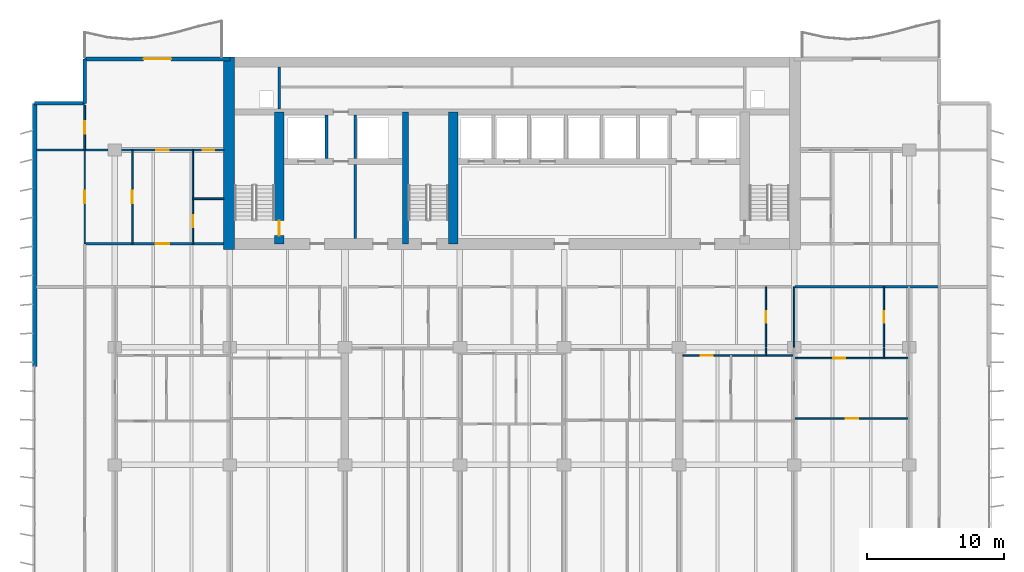
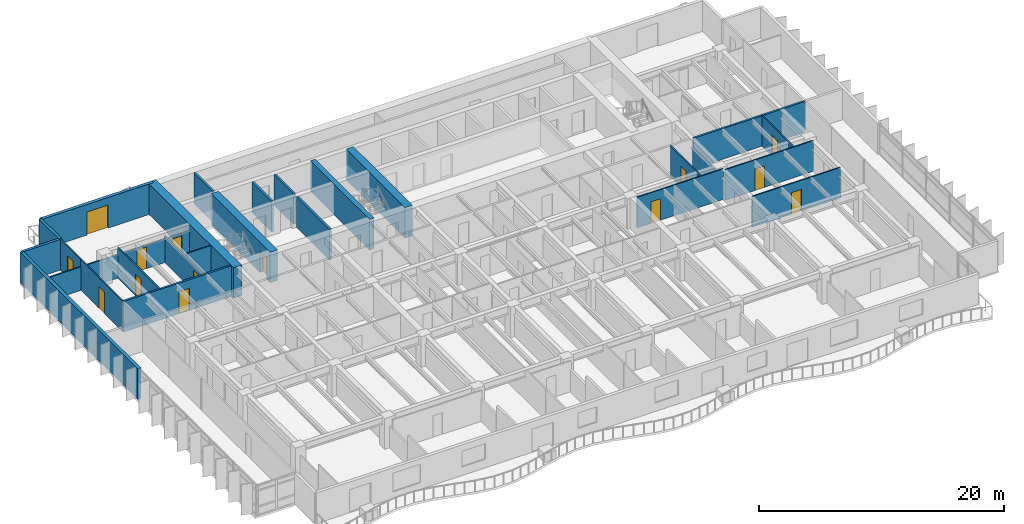
# One storey, part 11 of 19: 28 walls, 14 doors, 14 openings.
"""IFC4 building model written with IfcOpenShell, lengths in metres."""

from ifc_helpers import new_model, si_unit, direction, frame, frame_2d, origin, place, context, subcontext, project, spatial, rectangle, extrude, material, layer, layer_set, type_object, element, fill, save


model = new_model("IFC4")

# Units and contexts
model_context = context("Model", 3, precision=1e-05, world=origin(), true_north=direction((0.0, 1.0)))
body_context = subcontext(model_context, "Body", "Model", "MODEL_VIEW")
ifc_project = project(units=[si_unit("LENGTHUNIT", "METRE"), si_unit("AREAUNIT", "SQUARE_METRE"), si_unit("VOLUMEUNIT", "CUBIC_METRE"), si_unit("PLANEANGLEUNIT", "RADIAN"), si_unit("MASSUNIT", "GRAM", prefix="KILO")], contexts=[model_context])

# Site, building, storey
site_placement = place(None, origin())
site = spatial("IfcSite", under=ifc_project, at=site_placement, CompositionType="ELEMENT")
building_placement = place(site_placement, origin())
building = spatial("IfcBuilding", under=site, at=building_placement, Name="Caelmar Bay Residences", CompositionType="ELEMENT")
storey_placement = place(building_placement, frame((0.0, 0.0, 91.199951171875)))
storey = spatial("IfcBuildingStorey", under=building, at=storey_placement, Name="L24", CompositionType="ELEMENT", Elevation=91.199951171875)

# Wall, opening, door
ifc_material_1 = material(Name="Concrete f'c 55 MPa (8,000 psi)", Category="concrete")
ifc_layer_1 = layer(ifc_material_1, 0.699951171875)
ifc_layer_set_1 = layer_set([ifc_layer_1], Name="Concrete f'c 55 MPa (8,000 psi)")
wall_type_1 = type_object("IfcWallType", Name="SW-COR-700", PredefinedType="SHEAR", material=ifc_layer_set_1)
wall_1_placement = place(storey_placement, frame((21.89990234375, 36.949951171875, 0.0), z_axis=(0.0, 0.0, 1.0), x_axis=(0.0, 1.0, 0.0)))
wall_1 = element("IfcWall", 1, at=wall_1_placement, inside=storey, type_object=wall_type_1, Name="L24 Core Structural Web Wall ST1E", PredefinedType="SHEAR", context=body_context, shape_type="SweptSolid", body=[
    extrude(rectangle(XDim=9.625, YDim=0.699951171875, at=frame_2d((4.8125, 0.0))), origin(), (0.0, 0.0, 1.0), 3.050048828125),
])
opening_1_placement = place(wall_1_placement, frame((0.60009765625, 0.0, 0.0)))
opening_1 = element("IfcOpeningElement", 2, at=opening_1_placement, cuts=wall_1, Name="Opening D-L24-108", PredefinedType="OPENING", context=body_context, shape_type="SweptSolid", body=[
    extrude(rectangle(XDim=1.10009765625, YDim=2.14990234375, at=frame_2d((0.550048828125, 1.074951171875))), frame((0.0, 0.35986328125, 0.0), z_axis=(0.0, -1.0, 0.0), x_axis=(1.0, 0.0, 0.0)), (0.0, 0.0, 1.0), 0.719970703125),
])
ifc_material_2 = material(Name="Fire-rated steel and walnut architectural door assembly", Category="steel")
ifc_layer_2 = layer(ifc_material_2, 0.050048828125)
ifc_layer_set_2 = layer_set([ifc_layer_2], Name="Fire-rated steel and walnut architectural door assembly")
door_type_1 = type_object("IfcDoorType", Name="D-STAIR-1100", OperationType="NOTDEFINED", PredefinedType="DOOR", material=ifc_layer_set_2)
door_1_placement = place(opening_1_placement, origin())
door_1 = element("IfcDoor", 3, at=door_1_placement, inside=storey, type_object=door_type_1, Name="L24 Firefighting Lobby West Door", OperationType="SINGLE_SWING_LEFT", OverallHeight=2.14990234375, OverallWidth=1.10009765625, PredefinedType="DOOR", context=body_context, shape_type="SweptSolid", body=[
    extrude(rectangle(XDim=1.10009765625, YDim=2.14990234375, at=frame_2d((0.550048828125, 1.074951171875))), frame((0.0, 0.02490234375, 0.0), z_axis=(0.0, -1.0, 0.0), x_axis=(1.0, 0.0, 0.0)), (0.0, 0.0, 1.0), 0.050048828125),
])
fill(opening_1, door_1)

# Walls
wall_2_placement = place(storey_placement, frame((34.60009765625, 36.949951171875, 0.0), z_axis=(0.0, 0.0, 1.0), x_axis=(0.0, 1.0, 0.0)))
element("IfcWall", 4, at=wall_2_placement, inside=storey, type_object=wall_type_1, Name="L24 Core Structural Web Wall ST3E", PredefinedType="SHEAR", context=body_context, shape_type="SweptSolid", body=[
    extrude(rectangle(XDim=9.625, YDim=0.699951171875, at=frame_2d((4.8125, 0.0))), origin(), (0.0, 0.0, 1.0), 3.050048828125),
])
ifc_material_3 = material(Name="Concrete f'c 70 MPa (10,000 psi)", Category="concrete")
ifc_layer_3 = layer(ifc_material_3, 0.800048828125)
ifc_layer_set_3 = layer_set([ifc_layer_3], Name="Concrete f'c 70 MPa (10,000 psi)")
wall_type_2 = type_object("IfcWallType", Name="SW-COR-800", PredefinedType="SHEAR", material=ifc_layer_set_3)
wall_3_placement = place(storey_placement, frame((18.25, 36.550048828125, 0.0), z_axis=(0.0, 0.0, 1.0), x_axis=(0.0, 1.0, 0.0)))
element("IfcWall", 5, at=wall_3_placement, inside=storey, type_object=wall_type_2, Name="L24 Rear Core West Shear Wall", PredefinedType="SHEAR", context=body_context, shape_type="SweptSolid", body=[
    extrude(rectangle(XDim=14.050048828125, YDim=0.800048828125, at=frame_2d((7.02490234375, 0.0))), origin(), (0.0, 0.0, 1.0), 3.050048828125),
])
ifc_layer_4 = layer(ifc_material_3, 0.449951171875)
ifc_layer_set_4 = layer_set([ifc_layer_4], Name="Concrete f'c 70 MPa (10,000 psi)")
wall_type_3 = type_object("IfcWallType", Name="SW-WEB-450", PredefinedType="SHEAR", material=ifc_layer_set_4)
wall_4_placement = place(storey_placement, frame((31.125, 36.949951171875, 0.0), z_axis=(0.0, 0.0, 1.0), x_axis=(0.0, 1.0, 0.0)))
element("IfcWall", 6, at=wall_4_placement, inside=storey, type_object=wall_type_3, Name="L24 Core Structural Web Wall ST3W", PredefinedType="SHEAR", context=body_context, shape_type="SweptSolid", body=[
    extrude(rectangle(XDim=9.625, YDim=0.449951171875, at=frame_2d((4.8125, 0.0))), origin(), (0.0, 0.0, 1.0), 3.050048828125),
])
ifc_material_4 = material(Name="Double-stud acoustic fire-rated gypsum partition 180 mm")
ifc_layer_5 = layer(ifc_material_4, 0.179931640625)
ifc_layer_set_5 = layer_set([ifc_layer_5], Name="Double-stud acoustic fire-rated gypsum partition 180 mm")
wall_type_4 = type_object("IfcWallType", Name="W-COR-200", PredefinedType="PARTITIONING", material=ifc_layer_set_5)
wall_5_placement = place(storey_placement, frame((59.550048828125, 33.800048828125, 0.0), z_axis=(0.0, 0.0, 1.0), x_axis=(1.0, 0.0, 0.0)))
element("IfcWall", 7, at=wall_5_placement, inside=storey, type_object=wall_type_4, Name="L24 Partition Wall H121", PredefinedType="PARTITIONING", context=body_context, shape_type="SweptSolid", body=[
    extrude(rectangle(XDim=10.550048828125, YDim=0.179931640625, at=frame_2d((5.27490234375, 0.0))), origin(), (0.0, 0.0, 1.0), 3.050048828125),
])

# Wall, opening, door
wall_6_placement = place(storey_placement, frame((7.699951171875, 36.949951171875, 0.0), z_axis=(0.0, 0.0, 1.0), x_axis=(1.0, 0.0, 0.0)))
wall_6 = element("IfcWall", 8, at=wall_6_placement, inside=storey, type_object=wall_type_4, Name="L24 Partition Wall H123", PredefinedType="PARTITIONING", context=body_context, shape_type="SweptSolid", body=[
    extrude(rectangle(XDim=10.14501953125, YDim=0.179931640625, at=frame_2d((5.072509765625, 0.0))), origin(), (0.0, 0.0, 1.0), 3.050048828125),
])
opening_2_placement = place(wall_6_placement, frame((5.18798828125, 0.0, 0.0)))
opening_2 = element("IfcOpeningElement", 9, at=opening_2_placement, cuts=wall_6, Name="Opening D-L24-165", PredefinedType="OPENING", context=body_context, shape_type="SweptSolid", body=[
    extrude(rectangle(XDim=1.0, YDim=2.199951171875, at=frame_2d((0.5, 1.10009765625))), frame((0.0, 0.099853515625, 0.0), z_axis=(0.0, -1.0, 0.0), x_axis=(1.0, 0.0, 0.0)), (0.0, 0.0, 1.0), 0.199951171875),
])
ifc_layer_6 = layer(ifc_material_2, 0.050048828125)
ifc_layer_set_6 = layer_set([ifc_layer_6], Name="Fire-rated steel and walnut architectural door assembly")
door_type_2 = type_object("IfcDoorType", Name="D-UNIT-1000", OperationType="NOTDEFINED", PredefinedType="DOOR", material=ifc_layer_set_6)
door_2_placement = place(opening_2_placement, origin())
door_2 = element("IfcDoor", 10, at=door_2_placement, inside=storey, type_object=door_type_2, Name="L24 Residence WA Kitchen Door", OperationType="SINGLE_SWING_RIGHT", OverallHeight=2.199951171875, OverallWidth=1.0, PredefinedType="DOOR", context=body_context, shape_type="SweptSolid", body=[
    extrude(rectangle(XDim=1.0, YDim=2.199951171875, at=frame_2d((0.5, 1.10009765625))), frame((0.0, 0.02490234375, 0.0), z_axis=(0.0, -1.0, 0.0), x_axis=(1.0, 0.0, 0.0)), (0.0, 0.0, 1.0), 0.050048828125),
])
fill(opening_2, door_2)

# Walls
ifc_material_5 = material(Name="Precast concrete f'c 40 MPa (6,000 psi)", Category="concrete")
ifc_layer_7 = layer(ifc_material_5, 0.25)
ifc_layer_set_7 = layer_set([ifc_layer_7], Name="Precast concrete f'c 40 MPa (6,000 psi)")
wall_type_5 = type_object("IfcWallType", Name="W-EXT-250", PredefinedType="ELEMENTEDWALL", material=ifc_layer_set_7)
wall_7_placement = place(storey_placement, frame((4.050048828125, 47.199951171875, 0.0), z_axis=(0.0, 0.0, 1.0), x_axis=(1.0, 0.0, 0.0)))
element("IfcWall", 11, at=wall_7_placement, inside=storey, type_object=wall_type_5, Name="L24 NNW-H Notch Wall", PredefinedType="ELEMENTEDWALL", context=body_context, shape_type="SweptSolid", body=[
    extrude(rectangle(XDim=3.64990234375, YDim=0.25, at=frame_2d((1.824951171875, 0.0))), origin(), (0.0, 0.0, 1.0), 3.050048828125),
])
wall_8_placement = place(storey_placement, frame((7.699951171875, 47.199951171875, 0.0), z_axis=(0.0, 0.0, 1.0), x_axis=(0.0, 1.0, 0.0)))
element("IfcWall", 12, at=wall_8_placement, inside=storey, type_object=wall_type_5, Name="L24 NNW-V Notch Wall", PredefinedType="ELEMENTEDWALL", context=body_context, shape_type="SweptSolid", body=[
    extrude(rectangle(XDim=3.25, YDim=0.25, at=frame_2d((1.625, 0.0))), origin(), (0.0, 0.0, 1.0), 3.050048828125),
])
ifc_layer_8 = layer(ifc_material_5, 0.300048828125)
ifc_layer_set_8 = layer_set([ifc_layer_8], Name="Precast concrete f'c 40 MPa (6,000 psi)")
wall_type_6 = type_object("IfcWallType", Name="W-EXT-300", PredefinedType="STANDARD", material=ifc_layer_set_8)
wall_9_placement = place(storey_placement, frame((4.050048828125, 28.0, 0.0), z_axis=(0.0, 0.0, 1.0), x_axis=(0.0, 1.0, 0.0)))
element("IfcWall", 13, at=wall_9_placement, inside=storey, type_object=wall_type_6, Name="L24 West Rear Exterior Wall", PredefinedType="STANDARD", context=body_context, shape_type="SweptSolid", body=[
    extrude(rectangle(XDim=19.199951171875, YDim=0.300048828125, at=frame_2d((9.60009765625, 0.0))), origin(), (0.0, 0.0, 1.0), 3.050048828125),
])

# Wall, opening, door
wall_10_placement = place(storey_placement, frame((7.699951171875, 50.449951171875, 0.0), z_axis=(0.0, 0.0, 1.0), x_axis=(1.0, 0.0, 0.0)))
wall_10 = element("IfcWall", 14, at=wall_10_placement, inside=storey, type_object=wall_type_6, Name="L24 North-West Wing Exterior Wall", PredefinedType="STANDARD", context=body_context, shape_type="SweptSolid", body=[
    extrude(rectangle(XDim=10.60009765625, YDim=0.300048828125, at=frame_2d((5.300048828125, 0.0))), origin(), (0.0, 0.0, 1.0), 3.050048828125),
])
opening_3_placement = place(wall_10_placement, frame((4.300048828125, 0.0, 0.0)))
opening_3 = element("IfcOpeningElement", 15, at=opening_3_placement, cuts=wall_10, Name="Opening L24-BDNW", PredefinedType="OPENING", context=body_context, shape_type="SweptSolid", body=[
    extrude(rectangle(XDim=2.0, YDim=2.300048828125, at=frame_2d((1.0, 1.14990234375))), frame((0.0, 0.159912109375, 0.0), z_axis=(0.0, -1.0, 0.0), x_axis=(1.0, 0.0, 0.0)), (0.0, 0.0, 1.0), 0.320068359375),
])
ifc_material_6 = material(Name="Anodised bronze thermally broken sliding glass door", Category="glass")
ifc_layer_9 = layer(ifc_material_6, 0.050048828125)
ifc_layer_set_9 = layer_set([ifc_layer_9], Name="Anodised bronze thermally broken sliding glass door")
door_type_3 = type_object("IfcDoorType", Name="D-BAL-2000", OperationType="DOUBLE_DOOR_SLIDING", PredefinedType="DOOR", material=ifc_layer_set_9)
door_3_placement = place(opening_3_placement, origin())
door_3 = element("IfcDoor", 16, at=door_3_placement, inside=storey, type_object=door_type_3, Name="L24 North-West Balcony Door", OperationType="DOUBLE_DOOR_SLIDING", OverallHeight=2.300048828125, OverallWidth=2.0, PredefinedType="DOOR", context=body_context, shape_type="SweptSolid", body=[
    extrude(rectangle(XDim=2.0, YDim=2.300048828125, at=frame_2d((1.0, 1.14990234375))), frame((0.0, 0.02490234375, 0.0), z_axis=(0.0, -1.0, 0.0), x_axis=(1.0, 0.0, 0.0)), (0.0, 0.0, 1.0), 0.050048828125),
])
fill(opening_3, door_3)

# Walls
ifc_material_7 = material(Name="Fire-rated masonry and gypsum shaftliner assembly 200 mm", Category="masonry")
ifc_layer_10 = layer(ifc_material_7, 0.199951171875)
ifc_layer_set_10 = layer_set([ifc_layer_10], Name="Fire-rated masonry and gypsum shaftliner assembly 200 mm")
wall_type_7 = type_object("IfcWallType", Name="W-FSAE-200", PredefinedType="PARTITIONING", material=ifc_layer_set_10)
wall_11_placement = place(storey_placement, frame((21.89990234375, 46.794921875, 0.0), z_axis=(0.0, 0.0, 1.0), x_axis=(0.0, 1.0, 0.0)))
element("IfcWall", 17, at=wall_11_placement, inside=storey, type_object=wall_type_7, Name="L24 Partition Wall V024", PredefinedType="PARTITIONING", context=body_context, shape_type="SweptSolid", body=[
    extrude(rectangle(XDim=3.06005859375, YDim=0.199951171875, at=frame_2d((1.530029296875, 0.0))), origin(), (0.0, 0.0, 1.0), 3.050048828125),
])
wall_12_placement = place(storey_placement, frame((25.35009765625, 43.169921875, 0.0), z_axis=(0.0, 0.0, 1.0), x_axis=(0.0, 1.0, 0.0)))
element("IfcWall", 18, at=wall_12_placement, inside=storey, type_object=wall_type_7, Name="L24 Partition Wall V027", PredefinedType="PARTITIONING", context=body_context, shape_type="SweptSolid", body=[
    extrude(rectangle(XDim=3.18505859375, YDim=0.199951171875, at=frame_2d((1.592529296875, 0.0))), origin(), (0.0, 0.0, 1.0), 3.050048828125),
])
wall_13_placement = place(storey_placement, frame((27.449951171875, 37.344970703125, 0.0), z_axis=(0.0, 0.0, 1.0), x_axis=(0.0, 1.0, 0.0)))
element("IfcWall", 19, at=wall_13_placement, inside=storey, type_object=wall_type_7, Name="L24 Partition Wall V031", PredefinedType="PARTITIONING", context=body_context, shape_type="SweptSolid", body=[
    extrude(rectangle(XDim=5.385009765625, YDim=0.199951171875, at=frame_2d((2.6923828125, 0.0))), origin(), (0.0, 0.0, 1.0), 3.050048828125),
])
wall_14_placement = place(storey_placement, frame((27.449951171875, 43.169921875, 0.0), z_axis=(0.0, 0.0, 1.0), x_axis=(0.0, 1.0, 0.0)))
element("IfcWall", 20, at=wall_14_placement, inside=storey, type_object=wall_type_7, Name="L24 Partition Wall V032", PredefinedType="PARTITIONING", context=body_context, shape_type="SweptSolid", body=[
    extrude(rectangle(XDim=3.18505859375, YDim=0.199951171875, at=frame_2d((1.592529296875, 0.0))), origin(), (0.0, 0.0, 1.0), 3.050048828125),
])

# Wall, opening, door
ifc_material_8 = material(Name="Anodised bronze framed acoustic sliding study partition 100 mm")
ifc_layer_11 = layer(ifc_material_8, 0.10009765625)
ifc_layer_set_11 = layer_set([ifc_layer_11], Name="Anodised bronze framed acoustic sliding study partition 100 mm")
wall_type_8 = type_object("IfcWallType", Name="W-MOV-100", PredefinedType="MOVABLE", material=ifc_layer_set_11)
wall_15_placement = place(storey_placement, frame((7.699951171875, 36.955078125, 0.0), z_axis=(0.0, 0.0, 1.0), x_axis=(0.0, 1.0, 0.0)))
wall_15 = element("IfcWall", 21, at=wall_15_placement, inside=storey, type_object=wall_type_8, Name="L24 Partition Wall V006", PredefinedType="MOVABLE", context=body_context, shape_type="SweptSolid", body=[
    extrude(rectangle(XDim=6.844970703125, YDim=0.10009765625, at=frame_2d((3.42236328125, 0.0))), origin(), (0.0, 0.0, 1.0), 3.050048828125),
])
opening_4_placement = place(wall_15_placement, frame((2.972412109375, 0.0, 0.0)))
opening_4 = element("IfcOpeningElement", 22, at=opening_4_placement, cuts=wall_15, Name="Opening D-L24-169", PredefinedType="OPENING", context=body_context, shape_type="SweptSolid", body=[
    extrude(rectangle(XDim=0.89990234375, YDim=2.14990234375, at=frame_2d((0.449951171875, 1.074951171875))), frame((0.0, 0.06005859375, 0.0), z_axis=(0.0, -1.0, 0.0), x_axis=(1.0, 0.0, 0.0)), (0.0, 0.0, 1.0), 0.1201171875),
])
ifc_material_9 = material(Name="Solid walnut timber interior door leaf and frame", Category="wood")
ifc_layer_12 = layer(ifc_material_9, 0.050048828125)
ifc_layer_set_12 = layer_set([ifc_layer_12], Name="Solid walnut timber interior door leaf and frame")
door_type_4 = type_object("IfcDoorType", Name="D-ROOM-900", OperationType="NOTDEFINED", PredefinedType="DOOR", material=ifc_layer_set_12)
door_4_placement = place(opening_4_placement, origin())
door_4 = element("IfcDoor", 23, at=door_4_placement, inside=storey, type_object=door_type_4, Name="L24 Residence WA Sun Study Door", OperationType="SINGLE_SWING_RIGHT", OverallHeight=2.14990234375, OverallWidth=0.89990234375, PredefinedType="DOOR", context=body_context, shape_type="SweptSolid", body=[
    extrude(rectangle(XDim=0.89990234375, YDim=2.14990234375, at=frame_2d((0.449951171875, 1.074951171875))), frame((0.0, 0.02490234375, 0.0), z_axis=(0.0, -1.0, 0.0), x_axis=(1.0, 0.0, 0.0)), (0.0, 0.0, 1.0), 0.050048828125),
])
fill(opening_4, door_4)

ifc_material_10 = material(Name="Acoustic metal-stud gypsum partition 120 mm")
ifc_layer_13 = layer(ifc_material_10, 0.1201171875)
ifc_layer_set_13 = layer_set([ifc_layer_13], Name="Acoustic metal-stud gypsum partition 120 mm")
wall_type_9 = type_object("IfcWallType", Name="W-PRT-120", PredefinedType="PARTITIONING", material=ifc_layer_set_13)
wall_16_placement = place(storey_placement, frame((7.699951171875, 43.804931640625, 0.0), z_axis=(0.0, 0.0, 1.0), x_axis=(0.0, 1.0, 0.0)))
wall_16 = element("IfcWall", 24, at=wall_16_placement, inside=storey, type_object=wall_type_9, Name="L24 Partition Wall V007", PredefinedType="PARTITIONING", context=body_context, shape_type="SweptSolid", body=[
    extrude(rectangle(XDim=3.275146484375, YDim=0.1201171875, at=frame_2d((1.6376953125, 0.0))), origin(), (0.0, 0.0, 1.0), 3.050048828125),
])
opening_5_placement = place(wall_16_placement, frame((1.1875, 0.0, 0.0)))
opening_5 = element("IfcOpeningElement", 25, at=opening_5_placement, cuts=wall_16, Name="Opening D-L24-170", PredefinedType="OPENING", context=body_context, shape_type="SweptSolid", body=[
    extrude(rectangle(XDim=0.89990234375, YDim=2.14990234375, at=frame_2d((0.449951171875, 1.074951171875))), frame((0.0, 0.070068359375, 0.0), z_axis=(0.0, -1.0, 0.0), x_axis=(1.0, 0.0, 0.0)), (0.0, 0.0, 1.0), 0.14013671875),
])
door_5_placement = place(opening_5_placement, origin())
door_5 = element("IfcDoor", 26, at=door_5_placement, inside=storey, type_object=door_type_4, Name="L24 Residence WA North Sitting Alcove Door", OperationType="SINGLE_SWING_LEFT", OverallHeight=2.14990234375, OverallWidth=0.89990234375, PredefinedType="DOOR", context=body_context, shape_type="SweptSolid", body=[
    extrude(rectangle(XDim=0.89990234375, YDim=2.14990234375, at=frame_2d((0.449951171875, 1.074951171875))), frame((0.0, 0.02490234375, 0.0), z_axis=(0.0, -1.0, 0.0), x_axis=(1.0, 0.0, 0.0)), (0.0, 0.0, 1.0), 0.050048828125),
])
fill(opening_5, door_5)

wall_17_placement = place(storey_placement, frame((11.176025390625, 36.949951171875, 0.0), z_axis=(0.0, 0.0, 1.0), x_axis=(0.0, 1.0, 0.0)))
wall_17 = element("IfcWall", 27, at=wall_17_placement, inside=storey, type_object=wall_type_9, Name="L24 Partition Wall V013", PredefinedType="PARTITIONING", context=body_context, shape_type="SweptSolid", body=[
    extrude(rectangle(XDim=6.85009765625, YDim=0.1201171875, at=frame_2d((3.425048828125, 0.0))), origin(), (0.0, 0.0, 1.0), 3.050048828125),
])
opening_6_placement = place(wall_17_placement, frame((2.97509765625, 0.0, 0.0)))
opening_6 = element("IfcOpeningElement", 28, at=opening_6_placement, cuts=wall_17, Name="Opening D-L24-164", PredefinedType="OPENING", context=body_context, shape_type="SweptSolid", body=[
    extrude(rectangle(XDim=0.89990234375, YDim=2.14990234375, at=frame_2d((0.449951171875, 1.074951171875))), frame((0.0, 0.070068359375, 0.0), z_axis=(0.0, -1.0, 0.0), x_axis=(1.0, 0.0, 0.0)), (0.0, 0.0, 1.0), 0.14013671875),
])
door_6_placement = place(opening_6_placement, origin())
door_6 = element("IfcDoor", 29, at=door_6_placement, inside=storey, type_object=door_type_4, Name="L24 Residence WA Dining Room Door", OperationType="SINGLE_SWING_LEFT", OverallHeight=2.14990234375, OverallWidth=0.89990234375, PredefinedType="DOOR", context=body_context, shape_type="SweptSolid", body=[
    extrude(rectangle(XDim=0.89990234375, YDim=2.14990234375, at=frame_2d((0.449951171875, 1.074951171875))), frame((0.0, 0.02490234375, 0.0), z_axis=(0.0, -1.0, 0.0), x_axis=(1.0, 0.0, 0.0)), (0.0, 0.0, 1.0), 0.050048828125),
])
fill(opening_6, door_6)

wall_18_placement = place(storey_placement, frame((15.60009765625, 36.949951171875, 0.0), z_axis=(0.0, 0.0, 1.0), x_axis=(0.0, 1.0, 0.0)))
wall_18 = element("IfcWall", 30, at=wall_18_placement, inside=storey, type_object=wall_type_9, Name="L24 Partition Wall V016", PredefinedType="PARTITIONING", context=body_context, shape_type="SweptSolid", body=[
    extrude(rectangle(XDim=6.85009765625, YDim=0.1201171875, at=frame_2d((3.425048828125, 0.0))), origin(), (0.0, 0.0, 1.0), 2.578125),
])
opening_7_placement = place(wall_18_placement, frame((1.218994140625, 0.0, 0.0)))
opening_7 = element("IfcOpeningElement", 31, at=opening_7_placement, cuts=wall_18, Name="Opening D-L24-167", PredefinedType="OPENING", context=body_context, shape_type="SweptSolid", body=[
    extrude(rectangle(XDim=0.85009765625, YDim=2.10009765625, at=frame_2d((0.425048828125, 1.050048828125))), frame((0.0, 0.070068359375, 0.0), z_axis=(0.0, -1.0, 0.0), x_axis=(1.0, 0.0, 0.0)), (0.0, 0.0, 1.0), 0.14013671875),
])
ifc_layer_14 = layer(ifc_material_9, 0.050048828125)
ifc_layer_set_14 = layer_set([ifc_layer_14], Name="Solid walnut timber interior door leaf and frame")
door_type_5 = type_object("IfcDoorType", Name="D-BATH-850", OperationType="NOTDEFINED", PredefinedType="DOOR", material=ifc_layer_set_14)
door_7_placement = place(opening_7_placement, origin())
door_7 = element("IfcDoor", 32, at=door_7_placement, inside=storey, type_object=door_type_5, Name="L24 Residence WA Walk-In Closet Door", OperationType="SINGLE_SWING_RIGHT", OverallHeight=2.10009765625, OverallWidth=0.85009765625, PredefinedType="DOOR", context=body_context, shape_type="SweptSolid", body=[
    extrude(rectangle(XDim=0.85009765625, YDim=2.10009765625, at=frame_2d((0.425048828125, 1.050048828125))), frame((0.0, 0.02490234375, 0.0), z_axis=(0.0, -1.0, 0.0), x_axis=(1.0, 0.0, 0.0)), (0.0, 0.0, 1.0), 0.050048828125),
])
fill(opening_7, door_7)

# Wall
wall_19_placement = place(storey_placement, frame((57.43994140625, 28.800048828125, 0.0), z_axis=(0.0, 0.0, 1.0), x_axis=(0.0, 1.0, 0.0)))
element("IfcWall", 33, at=wall_19_placement, inside=storey, type_object=wall_type_9, Name="L24 Partition Wall V076", PredefinedType="PARTITIONING", context=body_context, shape_type="SweptSolid", body=[
    extrude(rectangle(XDim=0.5400390625, YDim=0.1201171875, at=frame_2d((0.27001953125, 0.0))), origin(), (0.0, 0.0, 1.0), 3.050048828125),
])

# Wall, opening, door
wall_20_placement = place(storey_placement, frame((57.43994140625, 29.39990234375, 0.0), z_axis=(0.0, 0.0, 1.0), x_axis=(0.0, 1.0, 0.0)))
wall_20 = element("IfcWall", 34, at=wall_20_placement, inside=storey, type_object=wall_type_9, Name="L24 Partition Wall V077", PredefinedType="PARTITIONING", context=body_context, shape_type="SweptSolid", body=[
    extrude(rectangle(XDim=4.400146484375, YDim=0.1201171875, at=frame_2d((2.2001953125, 0.0))), origin(), (0.0, 0.0, 1.0), 3.050048828125),
])
opening_8_placement = place(wall_20_placement, frame((1.77490234375, 0.0, 0.0)))
opening_8 = element("IfcOpeningElement", 35, at=opening_8_placement, cuts=wall_20, Name="Opening D-L24-152", PredefinedType="OPENING", context=body_context, shape_type="SweptSolid", body=[
    extrude(rectangle(XDim=0.85009765625, YDim=2.10009765625, at=frame_2d((0.425048828125, 1.050048828125))), frame((0.0, 0.070068359375, 0.0), z_axis=(0.0, -1.0, 0.0), x_axis=(1.0, 0.0, 0.0)), (0.0, 0.0, 1.0), 0.14013671875),
])
door_8_placement = place(opening_8_placement, origin())
door_8 = element("IfcDoor", 36, at=door_8_placement, inside=storey, type_object=door_type_5, Name="L24 Residence 05 Guest Bathroom Door", OperationType="SINGLE_SWING_LEFT", OverallHeight=2.10009765625, OverallWidth=0.85009765625, PredefinedType="DOOR", context=body_context, shape_type="SweptSolid", body=[
    extrude(rectangle(XDim=0.85009765625, YDim=2.10009765625, at=frame_2d((0.425048828125, 1.050048828125))), frame((0.0, 0.02490234375, 0.0), z_axis=(0.0, -1.0, 0.0), x_axis=(1.0, 0.0, 0.0)), (0.0, 0.0, 1.0), 0.050048828125),
])
fill(opening_8, door_8)

# Walls
wall_21_placement = place(storey_placement, frame((59.5, 29.39990234375, 0.0), z_axis=(0.0, 0.0, 1.0), x_axis=(0.0, 1.0, 0.0)))
element("IfcWall", 37, at=wall_21_placement, inside=storey, type_object=wall_type_9, Name="L24 Partition Wall V082", PredefinedType="PARTITIONING", context=body_context, shape_type="SweptSolid", body=[
    extrude(rectangle(XDim=4.400146484375, YDim=0.1201171875, at=frame_2d((2.2001953125, 0.0))), origin(), (0.0, 0.0, 1.0), 2.174072265625),
])
wall_22_placement = place(storey_placement, frame((66.053955078125, 28.60009765625, 0.0), z_axis=(0.0, 0.0, 1.0), x_axis=(0.0, 1.0, 0.0)))
element("IfcWall", 38, at=wall_22_placement, inside=storey, type_object=wall_type_9, Name="L24 Partition Wall V084", PredefinedType="PARTITIONING", context=body_context, shape_type="SweptSolid", body=[
    extrude(rectangle(XDim=0.739990234375, YDim=0.1201171875, at=frame_2d((0.3701171875, 0.0))), origin(), (0.0, 0.0, 1.0), 3.050048828125),
])

# Wall, opening, door
wall_23_placement = place(storey_placement, frame((66.053955078125, 29.39990234375, 0.0), z_axis=(0.0, 0.0, 1.0), x_axis=(0.0, 1.0, 0.0)))
wall_23 = element("IfcWall", 39, at=wall_23_placement, inside=storey, type_object=wall_type_9, Name="L24 Partition Wall V085", PredefinedType="PARTITIONING", context=body_context, shape_type="SweptSolid", body=[
    extrude(rectangle(XDim=4.400146484375, YDim=0.1201171875, at=frame_2d((2.2001953125, 0.0))), origin(), (0.0, 0.0, 1.0), 3.050048828125),
])
opening_9_placement = place(wall_23_placement, frame((1.77490234375, 0.0, 0.0)))
opening_9 = element("IfcOpeningElement", 40, at=opening_9_placement, cuts=wall_23, Name="Opening D-L24-158", PredefinedType="OPENING", context=body_context, shape_type="SweptSolid", body=[
    extrude(rectangle(XDim=0.85009765625, YDim=2.10009765625, at=frame_2d((0.425048828125, 1.050048828125))), frame((0.0, 0.070068359375, 0.0), z_axis=(0.0, -1.0, 0.0), x_axis=(1.0, 0.0, 0.0)), (0.0, 0.0, 1.0), 0.14013671875),
])
door_9_placement = place(opening_9_placement, origin())
door_9 = element("IfcDoor", 41, at=door_9_placement, inside=storey, type_object=door_type_5, Name="L24 Residence 05 En-Suite Bathroom 1 Door", OperationType="SINGLE_SWING_LEFT", OverallHeight=2.10009765625, OverallWidth=0.85009765625, PredefinedType="DOOR", context=body_context, shape_type="SweptSolid", body=[
    extrude(rectangle(XDim=0.85009765625, YDim=2.10009765625, at=frame_2d((0.425048828125, 1.050048828125))), frame((0.0, 0.02490234375, 0.0), z_axis=(0.0, -1.0, 0.0), x_axis=(1.0, 0.0, 0.0)), (0.0, 0.0, 1.0), 0.050048828125),
])
fill(opening_9, door_9)

wall_24_placement = place(storey_placement, frame((59.550048828125, 24.199951171875, 0.0), z_axis=(0.0, 0.0, 1.0), x_axis=(1.0, 0.0, 0.0)))
wall_24 = element("IfcWall", 42, at=wall_24_placement, inside=storey, type_object=wall_type_9, Name="L24 Partition Wall H110", PredefinedType="PARTITIONING", context=body_context, shape_type="SweptSolid", body=[
    extrude(rectangle(XDim=8.349853515625, YDim=0.1201171875, at=frame_2d((4.1748046875, 0.0))), origin(), (0.0, 0.0, 1.0), 3.050048828125),
])
opening_10_placement = place(wall_24_placement, frame((3.72509765625, 0.0, 0.0)))
opening_10 = element("IfcOpeningElement", 43, at=opening_10_placement, cuts=wall_24, Name="Opening D-L24-159", PredefinedType="OPENING", context=body_context, shape_type="SweptSolid", body=[
    extrude(rectangle(XDim=0.89990234375, YDim=2.14990234375, at=frame_2d((0.449951171875, 1.074951171875))), frame((0.0, 0.070068359375, 0.0), z_axis=(0.0, -1.0, 0.0), x_axis=(1.0, 0.0, 0.0)), (0.0, 0.0, 1.0), 0.14013671875),
])
door_10_placement = place(opening_10_placement, origin())
door_10 = element("IfcDoor", 44, at=door_10_placement, inside=storey, type_object=door_type_4, Name="L24 Residence 05 Penthouse Sitting Salon 1 Door", OperationType="SINGLE_SWING_RIGHT", OverallHeight=2.14990234375, OverallWidth=0.89990234375, PredefinedType="DOOR", context=body_context, shape_type="SweptSolid", body=[
    extrude(rectangle(XDim=0.89990234375, YDim=2.14990234375, at=frame_2d((0.449951171875, 1.074951171875))), frame((0.0, 0.02490234375, 0.0), z_axis=(0.0, -1.0, 0.0), x_axis=(1.0, 0.0, 0.0)), (0.0, 0.0, 1.0), 0.050048828125),
])
fill(opening_10, door_10)

wall_25_placement = place(storey_placement, frame((59.550048828125, 28.60009765625, 0.0), z_axis=(0.0, 0.0, 1.0), x_axis=(1.0, 0.0, 0.0)))
wall_25 = element("IfcWall", 45, at=wall_25_placement, inside=storey, type_object=wall_type_9, Name="L24 Partition Wall H112", PredefinedType="PARTITIONING", context=body_context, shape_type="SweptSolid", body=[
    extrude(rectangle(XDim=8.349853515625, YDim=0.1201171875, at=frame_2d((4.1748046875, 0.0))), origin(), (0.0, 0.0, 1.0), 3.050048828125),
])
opening_11_placement = place(wall_25_placement, frame((2.802001953125, 0.0, 0.0)))
opening_11 = element("IfcOpeningElement", 46, at=opening_11_placement, cuts=wall_25, Name="Opening D-L24-157", PredefinedType="OPENING", context=body_context, shape_type="SweptSolid", body=[
    extrude(rectangle(XDim=0.89990234375, YDim=2.14990234375, at=frame_2d((0.449951171875, 1.074951171875))), frame((0.0, 0.070068359375, 0.0), z_axis=(0.0, -1.0, 0.0), x_axis=(1.0, 0.0, 0.0)), (0.0, 0.0, 1.0), 0.14013671875),
])
door_11_placement = place(opening_11_placement, origin())
door_11 = element("IfcDoor", 47, at=door_11_placement, inside=storey, type_object=door_type_4, Name="L24 Residence 05 Home Office 1 Door", OperationType="SINGLE_SWING_RIGHT", OverallHeight=2.14990234375, OverallWidth=0.89990234375, PredefinedType="DOOR", context=body_context, shape_type="SweptSolid", body=[
    extrude(rectangle(XDim=0.89990234375, YDim=2.14990234375, at=frame_2d((0.449951171875, 1.074951171875))), frame((0.0, 0.02490234375, 0.0), z_axis=(0.0, -1.0, 0.0), x_axis=(1.0, 0.0, 0.0)), (0.0, 0.0, 1.0), 0.050048828125),
])
fill(opening_11, door_11)

wall_26_placement = place(storey_placement, frame((51.3701171875, 28.800048828125, 0.0), z_axis=(0.0, 0.0, 1.0), x_axis=(1.0, 0.0, 0.0)))
wall_26 = element("IfcWall", 48, at=wall_26_placement, inside=storey, type_object=wall_type_9, Name="L24 Partition Wall H114", PredefinedType="PARTITIONING", context=body_context, shape_type="SweptSolid", body=[
    extrude(rectangle(XDim=8.1298828125, YDim=0.1201171875, at=frame_2d((4.06494140625, 0.0))), origin(), (0.0, 0.0, 1.0), 3.050048828125),
])
opening_12_placement = place(wall_26_placement, frame((1.304931640625, 0.0, 0.0)))
opening_12 = element("IfcOpeningElement", 49, at=opening_12_placement, cuts=wall_26, Name="Opening D-L24-153", PredefinedType="OPENING", context=body_context, shape_type="SweptSolid", body=[
    extrude(rectangle(XDim=0.89990234375, YDim=2.14990234375, at=frame_2d((0.449951171875, 1.074951171875))), frame((0.0, 0.070068359375, 0.0), z_axis=(0.0, -1.0, 0.0), x_axis=(1.0, 0.0, 0.0)), (0.0, 0.0, 1.0), 0.14013671875),
])
door_12_placement = place(opening_12_placement, origin())
door_12 = element("IfcDoor", 50, at=door_12_placement, inside=storey, type_object=door_type_4, Name="L24 Residence 05 Dining Room Door", OperationType="SINGLE_SWING_RIGHT", OverallHeight=2.14990234375, OverallWidth=0.89990234375, PredefinedType="DOOR", context=body_context, shape_type="SweptSolid", body=[
    extrude(rectangle(XDim=0.89990234375, YDim=2.14990234375, at=frame_2d((0.449951171875, 1.074951171875))), frame((0.0, 0.02490234375, 0.0), z_axis=(0.0, -1.0, 0.0), x_axis=(1.0, 0.0, 0.0)), (0.0, 0.0, 1.0), 0.050048828125),
])
fill(opening_12, door_12)

# Wall
wall_27_placement = place(storey_placement, frame((15.60009765625, 40.238037109375, 0.0), z_axis=(0.0, 0.0, 1.0), x_axis=(1.0, 0.0, 0.0)))
element("IfcWall", 51, at=wall_27_placement, inside=storey, type_object=wall_type_9, Name="L24 Partition Wall H125", PredefinedType="PARTITIONING", context=body_context, shape_type="SweptSolid", body=[
    extrude(rectangle(XDim=2.2548828125, YDim=0.1201171875, at=frame_2d((1.12744140625, 0.0))), origin(), (0.0, 0.0, 1.0), 3.050048828125),
])

# Wall, openings, doors
wall_28_placement = place(storey_placement, frame((4.195068359375, 43.800048828125, 0.0), z_axis=(0.0, 0.0, 1.0), x_axis=(1.0, 0.0, 0.0)))
wall_28 = element("IfcWall", 52, at=wall_28_placement, inside=storey, type_object=wall_type_9, Name="L24 Partition Wall H127", PredefinedType="PARTITIONING", context=body_context, shape_type="SweptSolid", body=[
    extrude(rectangle(XDim=13.659912109375, YDim=0.1201171875, at=frame_2d((6.830078125, 0.0))), origin(), (0.0, 0.0, 1.0), 2.339111328125),
])
opening_13_placement = place(wall_28_placement, frame((8.742919921875, 0.0, 0.0)))
opening_13 = element("IfcOpeningElement", 53, at=opening_13_placement, cuts=wall_28, Name="Opening D-L24-166", PredefinedType="OPENING", context=body_context, shape_type="SweptSolid", body=[
    extrude(rectangle(XDim=0.89990234375, YDim=2.14990234375, at=frame_2d((0.449951171875, 1.074951171875))), frame((0.0, 0.070068359375, 0.0), z_axis=(0.0, -1.0, 0.0), x_axis=(1.0, 0.0, 0.0)), (0.0, 0.0, 1.0), 0.14013671875),
])
opening_14_placement = place(wall_28_placement, frame((12.107421875, 0.0, 0.0)))
opening_14 = element("IfcOpeningElement", 54, at=opening_14_placement, cuts=wall_28, Name="Opening D-L24-168", PredefinedType="OPENING", context=body_context, shape_type="SweptSolid", body=[
    extrude(rectangle(XDim=0.85009765625, YDim=2.10009765625, at=frame_2d((0.425048828125, 1.050048828125))), frame((0.0, 0.070068359375, 0.0), z_axis=(0.0, -1.0, 0.0), x_axis=(1.0, 0.0, 0.0)), (0.0, 0.0, 1.0), 0.14013671875),
])
door_13_placement = place(opening_14_placement, origin())
door_13 = element("IfcDoor", 55, at=door_13_placement, inside=storey, type_object=door_type_5, Name="L24 Residence WA Bathroom Door", OperationType="SINGLE_SWING_LEFT", OverallHeight=2.10009765625, OverallWidth=0.85009765625, PredefinedType="DOOR", context=body_context, shape_type="SweptSolid", body=[
    extrude(rectangle(XDim=0.85009765625, YDim=2.10009765625, at=frame_2d((0.425048828125, 1.050048828125))), frame((0.0, 0.02490234375, 0.0), z_axis=(0.0, -1.0, 0.0), x_axis=(1.0, 0.0, 0.0)), (0.0, 0.0, 1.0), 0.050048828125),
])
fill(opening_14, door_13)
door_14_placement = place(opening_13_placement, origin())
door_14 = element("IfcDoor", 56, at=door_14_placement, inside=storey, type_object=door_type_4, Name="L24 Residence WA Studio Living and Sleeping Room Door", OperationType="SINGLE_SWING_LEFT", OverallHeight=2.14990234375, OverallWidth=0.89990234375, PredefinedType="DOOR", context=body_context, shape_type="SweptSolid", body=[
    extrude(rectangle(XDim=0.89990234375, YDim=2.14990234375, at=frame_2d((0.449951171875, 1.074951171875))), frame((0.0, 0.02490234375, 0.0), z_axis=(0.0, -1.0, 0.0), x_axis=(1.0, 0.0, 0.0)), (0.0, 0.0, 1.0), 0.050048828125),
])
fill(opening_13, door_14)

save(model, "model.ifc")
